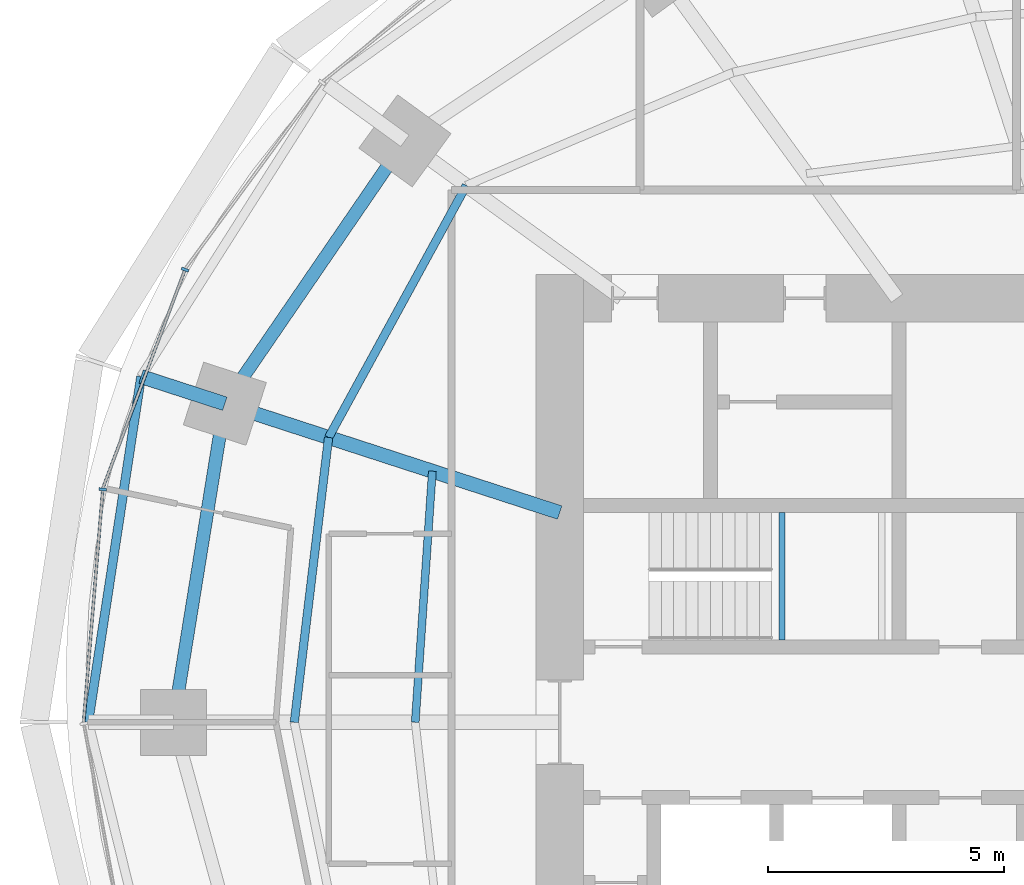
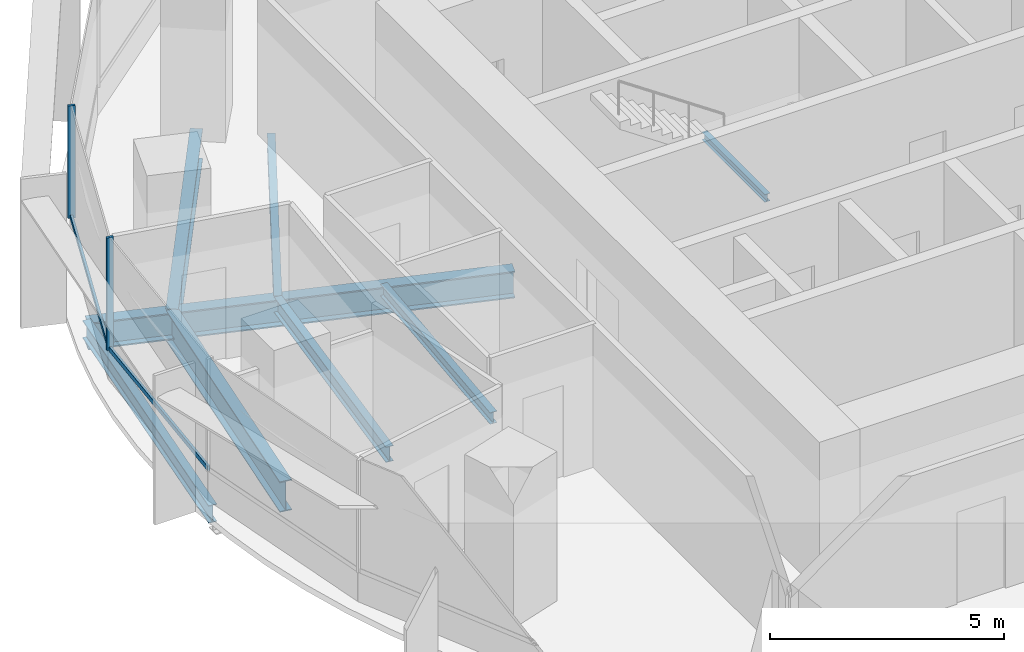
# One storey, part 4 of 14: 9 beams, 4 members, 1 element without a shape of its own.
"""IFC4 building model written with IfcOpenShell, lengths in metres."""

from ifc_helpers import new_model, si_unit, direction, frame, origin, origin_2d, place, context, subcontext, project, spatial, rectangle, i_section, extrude, material, material_profile, profile_set, type_object, element, aggregate, save


model = new_model("IFC4")

# Units and contexts
model_context = context("Model", 3, precision=1e-05, world=origin(), true_north=direction((0.0, 1.0)))
body_context = subcontext(model_context, "Body", "Model", "MODEL_VIEW")
ifc_project = project(units=[si_unit("LENGTHUNIT", "METRE"), si_unit("AREAUNIT", "SQUARE_METRE"), si_unit("VOLUMEUNIT", "CUBIC_METRE"), si_unit("PLANEANGLEUNIT", "RADIAN"), si_unit("MASSUNIT", "GRAM", prefix="KILO")], contexts=[model_context])

# Site, building, storey
site_placement = place(None, origin())
site = spatial("IfcSite", under=ifc_project, at=site_placement, CompositionType="ELEMENT")
building_placement = place(site_placement, origin())
building = spatial("IfcBuilding", under=site, at=building_placement, Name="Marramba Exchange Tower", CompositionType="ELEMENT")
storey_placement = place(building_placement, frame((0.0, 0.0, 179.89990234375)))
storey = spatial("IfcBuildingStorey", under=building, at=storey_placement, Name="L43", CompositionType="ELEMENT", Elevation=179.89990234375)

# Beams
ifc_material_1 = material(Name="Steel AS/NZS 3679.2 grade 300", Category="steel")
ifc_material_profile_1 = material_profile(ifc_material_1, i_section(OverallWidth=0.300048828125, OverallDepth=0.699951171875, WebThickness=0.010009765625, FlangeThickness=0.031982421875, at=origin_2d()), Name="700WB173")
ifc_profile_set_1 = profile_set([ifc_material_profile_1], Name="Steel AS/NZS 3679.2 grade 300")
beam_type_1 = type_object("IfcBeamType", Name="Cantilever girder 700WB173", PredefinedType="BEAM", material=ifc_profile_set_1)
beam_1_placement = place(storey_placement, frame((-20.808349609375, 6.760986328125, -0.510009765625), z_axis=(-0.951047511993, 0.309044705395, 0.0), x_axis=(-0.309044705395, -0.951047511993, 0.0)))
element("IfcBeam", 1, at=beam_1_placement, inside=storey, type_object=beam_type_1, Name="Cantilever girder L43 TC10", PredefinedType="BEAM", context=body_context, shape_type="SweptSolid", body=[
    extrude(i_section(OverallWidth=0.300048828125, OverallDepth=0.699951171875, WebThickness=0.010009765625, FlangeThickness=0.031982421875, at=origin_2d()), origin(), (0.0, 0.0, 1.0), 1.868408203125),
])
ifc_material_2 = material(Name="Steel AS/NZS 3679.1 grade 300", Category="steel")
ifc_material_profile_2 = material_profile(ifc_material_2, i_section(OverallWidth=0.166015625, OverallDepth=0.306884765625, WebThickness=0.006591796875, FlangeThickness=0.01171875, FilletRadius=0.011474609375, at=origin_2d()), Name="310UB46.2")
ifc_profile_set_2 = profile_set([ifc_material_profile_2], Name="Steel AS/NZS 3679.1 grade 300")
beam_type_2 = type_object("IfcBeamType", Name="Floor joist 310UB46.2", PredefinedType="JOIST", material=ifc_profile_set_2)
beam_2_placement = place(storey_placement, frame((-16.40283203125, 5.32958984375, -0.3134765625), z_axis=(-0.068096259546, -0.99767875563, 0.0), x_axis=(0.99767875563, -0.068096259546, 0.0)))
element("IfcBeam", 2, at=beam_2_placement, inside=storey, type_object=beam_type_2, Name="Joist L43 bay 10 row 1", PredefinedType="JOIST", context=body_context, shape_type="SweptSolid", body=[
    extrude(i_section(OverallWidth=0.166015625, OverallDepth=0.306884765625, WebThickness=0.006591796875, FlangeThickness=0.01171875, FilletRadius=0.011474609375, at=origin_2d()), origin(), (0.0, 0.0, 1.0), 5.342041015625),
])
ifc_material_profile_3 = material_profile(ifc_material_2, i_section(OverallWidth=0.177978515625, OverallDepth=0.406005859375, WebThickness=0.0078125, FlangeThickness=0.0126953125, FilletRadius=0.011474609375, at=origin_2d()), Name="410UB59.7")
ifc_profile_set_3 = profile_set([ifc_material_profile_3], Name="Steel AS/NZS 3679.1 grade 300")
beam_type_3 = type_object("IfcBeamType", Name="Floor joist 410UB59.7", PredefinedType="JOIST", material=ifc_profile_set_3)
beam_3_placement = place(storey_placement, frame((-15.682373046875, 11.393798828125, -0.36279296875), z_axis=(-0.479584443791, -0.877495732909, 0.0), x_axis=(0.877495732909, -0.479584443791, 0.0)))
element("IfcBeam", 3, at=beam_3_placement, inside=storey, type_object=beam_type_3, Name="Joist L43 bay 09 row 2", PredefinedType="JOIST", context=body_context, shape_type="SweptSolid", body=[
    extrude(i_section(OverallWidth=0.177978515625, OverallDepth=0.406005859375, WebThickness=0.0078125, FlangeThickness=0.0126953125, FilletRadius=0.011474609375, at=origin_2d()), origin(), (0.0, 0.0, 1.0), 6.094970703125),
])
beam_4_placement = place(storey_placement, frame((-18.60546875, 6.04541015625, -0.36279296875), z_axis=(-0.119523078538, -0.992831422597, 0.0), x_axis=(0.992831422597, -0.119523078538, 0.0)))
element("IfcBeam", 4, at=beam_4_placement, inside=storey, type_object=beam_type_3, Name="Joist L43 bay 10 row 2", PredefinedType="JOIST", context=body_context, shape_type="SweptSolid", body=[
    extrude(i_section(OverallWidth=0.177978515625, OverallDepth=0.406005859375, WebThickness=0.0078125, FlangeThickness=0.0126953125, FilletRadius=0.011474609375, at=origin_2d()), origin(), (0.0, 0.0, 1.0), 6.089111328125),
])

# Curtain wall, members
ifc_material_3 = material(Name="Aluminium framing, bronze anodised", Category="aluminium")
curtain_wall_type = type_object("IfcCurtainWallType", Name="Office ribbon curtain wall", PredefinedType="USERDEFINED", material=ifc_material_3)
curtain_wall_placement = place(storey_placement, origin())
curtain_wall = element("IfcCurtainWall", 5, at=curtain_wall_placement, inside=storey, type_object=curtain_wall_type, Name="Curtain wall CW4 L43 F11-F15", ObjectType="RIBBON CURTAIN WALL", PredefinedType="USERDEFINED")
ifc_material_4 = material(Name="Aluminium mullion, bronze anodised", Category="aluminium")
ifc_material_profile_4 = material_profile(ifc_material_4, rectangle(XDim=0.159912109375, YDim=0.06005859375, at=origin_2d()), Name="CW4 mullion 60x160")
ifc_profile_set_4 = profile_set([ifc_material_profile_4], Name="Aluminium mullion, bronze anodised")
member_type_1 = type_object("IfcMemberType", Name="Office ribbon curtain wall mullion", PredefinedType="MULLION", material=ifc_profile_set_4)
member_1_placement = place(storey_placement, frame((-21.65283203125, 9.607666015625, 0.800048828125), z_axis=(0.0, 0.0, 1.0), x_axis=(0.936018231909, -0.351951515885, 0.0)))
member_1 = element("IfcMember", 6, at=member_1_placement, type_object=member_type_1, Name="CW4 mullion 1", PredefinedType="MULLION", context=body_context, shape_type="SweptSolid", body=[
    extrude(rectangle(XDim=0.159912109375, YDim=0.06005859375, at=origin_2d()), origin(), (0.0, 0.0, 1.0), 2.93994140625),
])
member_2_placement = place(storey_placement, frame((-23.39794921875, 4.94287109375, 0.800048828125), z_axis=(0.0, 0.0, 1.0), x_axis=(0.996609178714, -0.082280890264, 0.0)))
member_2 = element("IfcMember", 7, at=member_2_placement, type_object=member_type_1, Name="CW4 mullion 1", PredefinedType="MULLION", context=body_context, shape_type="SweptSolid", body=[
    extrude(rectangle(XDim=0.159912109375, YDim=0.06005859375, at=origin_2d()), origin(), (0.0, 0.0, 1.0), 2.93994140625),
])
ifc_material_5 = material(Name="Aluminium transom, bronze anodised", Category="aluminium")
ifc_material_profile_5 = material_profile(ifc_material_5, rectangle(XDim=0.06005859375, YDim=0.1201171875, at=origin_2d()), Name="CW4 transom 60x120")
ifc_profile_set_5 = profile_set([ifc_material_profile_5], Name="Aluminium transom, bronze anodised")
member_type_2 = type_object("IfcMemberType", Name="Office ribbon curtain wall transom", PredefinedType="USERDEFINED", material=ifc_profile_set_5)
member_3_placement = place(storey_placement, frame((-21.663330078125, 9.57958984375, 0.830078125), z_axis=(-0.351955054115, -0.936016901494, 0.0), x_axis=(0.936016901494, -0.351955054115, 0.0)))
member_3 = element("IfcMember", 8, at=member_3_placement, type_object=member_type_2, Name="CW4 sill transom", ObjectType="TRANSOM", PredefinedType="USERDEFINED", context=body_context, shape_type="SweptSolid", body=[
    extrude(rectangle(XDim=0.06005859375, YDim=0.1201171875, at=origin_2d()), origin(), (0.0, 0.0, 1.0), 4.921630859375),
])
member_4_placement = place(storey_placement, frame((-23.400390625, 4.9130859375, 0.830078125), z_axis=(-0.082258542539, -0.996611023509, 0.0), x_axis=(0.996611023509, -0.082258542539, 0.0)))
member_4 = element("IfcMember", 9, at=member_4_placement, type_object=member_type_2, Name="CW4 sill transom", ObjectType="TRANSOM", PredefinedType="USERDEFINED", context=body_context, shape_type="SweptSolid", body=[
    extrude(rectangle(XDim=0.06005859375, YDim=0.1201171875, at=origin_2d()), origin(), (0.0, 0.0, 1.0), 4.9296875),
])
aggregate(curtain_wall, [member_1, member_3, member_2, member_4])

# Beams
ifc_material_profile_6 = material_profile(ifc_material_1, i_section(OverallWidth=0.300048828125, OverallDepth=0.699951171875, WebThickness=0.010009765625, FlangeThickness=0.031982421875, at=origin_2d()), Name="700WB173")
ifc_profile_set_6 = profile_set([ifc_material_profile_6], Name="Steel AS/NZS 3679.2 grade 300")
beam_type_4 = type_object("IfcBeamType", Name="Radial girder 700WB173", PredefinedType="BEAM", material=ifc_profile_set_6)
beam_5_placement = place(storey_placement, frame((-13.699951171875, 4.451416015625, -0.510009765625), z_axis=(-0.951059990189, 0.309006302624, 0.0), x_axis=(-0.309006302624, -0.951059990189, 0.0)))
element("IfcBeam", 10, at=beam_5_placement, inside=storey, type_object=beam_type_4, Name="Radial girder L43 TC10", PredefinedType="BEAM", context=body_context, shape_type="SweptSolid", body=[
    extrude(i_section(OverallWidth=0.300048828125, OverallDepth=0.699951171875, WebThickness=0.010009765625, FlangeThickness=0.031982421875, at=origin_2d()), origin(), (0.0, 0.0, 1.0), 7.47412109375),
])
ifc_material_profile_7 = material_profile(ifc_material_1, i_section(OverallWidth=0.27490234375, OverallDepth=0.800048828125, WebThickness=0.010009765625, FlangeThickness=0.02490234375, at=origin_2d()), Name="800WB168")
ifc_profile_set_7 = profile_set([ifc_material_profile_7], Name="Steel AS/NZS 3679.2 grade 300")
beam_type_5 = type_object("IfcBeamType", Name="Ring beam 800WB168", PredefinedType="SPANDREL", material=ifc_profile_set_7)
beam_6_placement = place(storey_placement, frame((-16.98583984375, 12.3408203125, -0.559814453125), z_axis=(-0.56516002054, -0.824981303535, 0.0), x_axis=(0.824981303535, -0.56516002054, 0.0)))
element("IfcBeam", 11, at=beam_6_placement, inside=storey, type_object=beam_type_5, Name="Ring beam L43 TC09-TC10", PredefinedType="SPANDREL", context=body_context, shape_type="SweptSolid", body=[
    extrude(i_section(OverallWidth=0.27490234375, OverallDepth=0.800048828125, WebThickness=0.010009765625, FlangeThickness=0.02490234375, at=origin_2d()), origin(), (0.0, 0.0, 1.0), 6.763671875),
])
beam_7_placement = place(storey_placement, frame((-20.808349609375, 6.760986328125, -0.559814453125), z_axis=(-0.159384865399, -0.987216523708, 0.0), x_axis=(0.987216523708, -0.159384865399, 0.0)))
element("IfcBeam", 12, at=beam_7_placement, inside=storey, type_object=beam_type_5, Name="Ring beam L43 TC10-TC11", PredefinedType="SPANDREL", context=body_context, shape_type="SweptSolid", body=[
    extrude(i_section(OverallWidth=0.27490234375, OverallDepth=0.800048828125, WebThickness=0.010009765625, FlangeThickness=0.02490234375, at=origin_2d()), origin(), (0.0, 0.0, 1.0), 6.8486328125),
])
ifc_material_profile_8 = material_profile(ifc_material_2, i_section(OverallWidth=0.19091796875, OverallDepth=0.4599609375, WebThickness=0.010009765625, FlangeThickness=0.01611328125, FilletRadius=0.011474609375, at=origin_2d()), Name="460UB82.1")
ifc_profile_set_8 = profile_set([ifc_material_profile_8], Name="Steel AS/NZS 3679.1 grade 300")
beam_type_6 = type_object("IfcBeamType", Name="Slab edge beam 460UB82.1", PredefinedType="SPANDREL", material=ifc_profile_set_8)
beam_8_placement = place(storey_placement, frame((-22.585205078125, 7.33837890625, -0.389892578125), z_axis=(-0.150987012186, -0.988535746522, 0.0), x_axis=(0.988535746522, -0.150987012186, 0.0)))
element("IfcBeam", 13, at=beam_8_placement, inside=storey, type_object=beam_type_6, Name="Slab edge beam L43 TC10-TC11", PredefinedType="SPANDREL", context=body_context, shape_type="SweptSolid", body=[
    extrude(i_section(OverallWidth=0.19091796875, OverallDepth=0.4599609375, WebThickness=0.010009765625, FlangeThickness=0.01611328125, FilletRadius=0.011474609375, at=origin_2d()), origin(), (0.0, 0.0, 1.0), 7.423583984375),
])
ifc_material_profile_9 = material_profile(ifc_material_2, i_section(OverallWidth=0.133056640625, OverallDepth=0.202880859375, WebThickness=0.005859375, FlangeThickness=0.0078125, FilletRadius=0.0087890625, at=origin_2d()), Name="200UB25.4")
ifc_profile_set_9 = profile_set([ifc_material_profile_9], Name="Steel AS/NZS 3679.1 grade 300")
beam_type_7 = type_object("IfcBeamType", Name="Stair landing beam 200UB25.4", PredefinedType="BEAM", material=ifc_profile_set_9)
beam_9_placement = place(storey_placement, frame((-8.9833984375, 1.75, 1.648681640625), z_axis=(0.0, 1.0, 0.0), x_axis=(-1.0, 0.0, 0.0)))
element("IfcBeam", 14, at=beam_9_placement, inside=storey, type_object=beam_type_7, Name="Stair landing beam SLB1 ST1 L43 1", PredefinedType="BEAM", context=body_context, shape_type="SweptSolid", body=[
    extrude(i_section(OverallWidth=0.133056640625, OverallDepth=0.202880859375, WebThickness=0.005859375, FlangeThickness=0.0078125, FilletRadius=0.0087890625, at=origin_2d()), origin(), (0.0, 0.0, 1.0), 2.699951171875),
])

save(model, "model.ifc")
